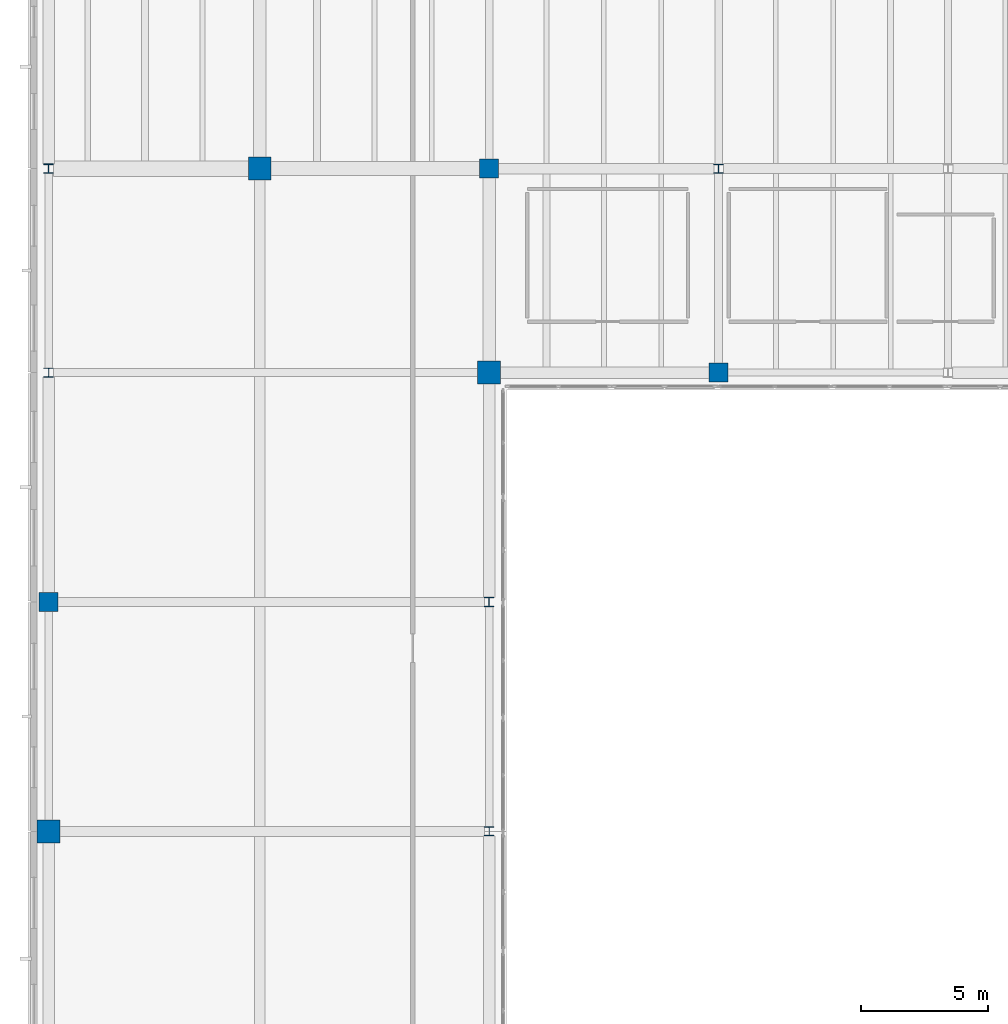
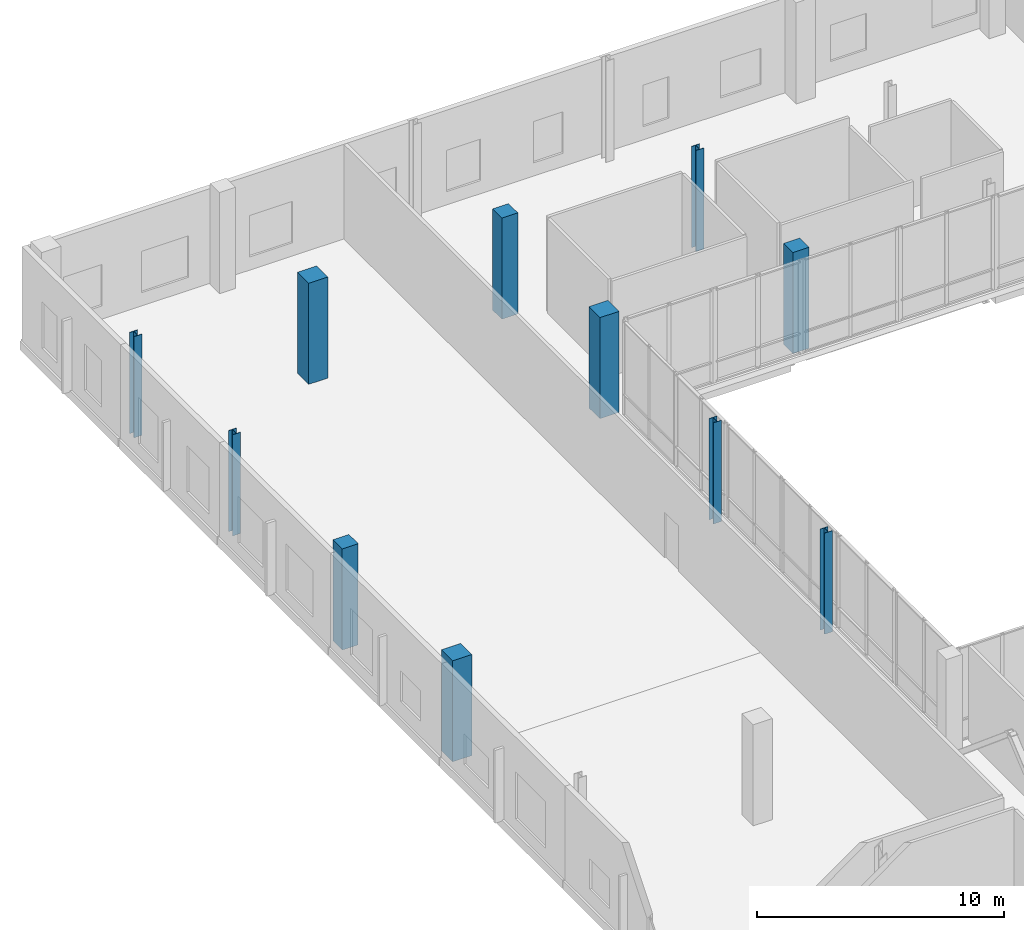
# One storey, part 7 of 81: 11 columns.
"""IFC4 building model written with IfcOpenShell, lengths in metres."""

from ifc_helpers import new_model, si_unit, direction, frame, origin, origin_2d, place, context, subcontext, project, spatial, rectangle, i_section, extrude, material, material_profile, profile_set, type_object, element, save


model = new_model("IFC4")

# Units and contexts
model_context = context("Model", 3, precision=1e-05, world=origin(), true_north=direction((0.0, 1.0)))
body_context = subcontext(model_context, "Body", "Model", "MODEL_VIEW")
ifc_project = project(units=[si_unit("LENGTHUNIT", "METRE"), si_unit("AREAUNIT", "SQUARE_METRE"), si_unit("VOLUMEUNIT", "CUBIC_METRE"), si_unit("PLANEANGLEUNIT", "RADIAN"), si_unit("MASSUNIT", "GRAM", prefix="KILO")], contexts=[model_context])

# Site, building, storey
site_placement = place(None, origin())
site = spatial("IfcSite", under=ifc_project, at=site_placement, CompositionType="ELEMENT")
building_placement = place(site_placement, origin())
building = spatial("IfcBuilding", under=site, at=building_placement, Name="Trimount Lyric Opera House", CompositionType="ELEMENT")
storey_placement = place(building_placement, frame((0.0, 0.0, 5.0)))
storey = spatial("IfcBuildingStorey", under=building, at=storey_placement, Name="L01", CompositionType="ELEMENT", Elevation=5.0)

# Columns
ifc_material_1 = material(Name="Steel ASTM A992 Grade 50", Category="steel")
ifc_material_profile_1 = material_profile(ifc_material_1, i_section(OverallWidth=0.373046875, OverallDepth=0.367919921875, WebThickness=0.014892578125, FlangeThickness=0.02392578125, FilletRadius=0.014892578125, at=origin_2d()), Name="W14X120")
ifc_profile_set_1 = profile_set([ifc_material_profile_1], Name="Steel ASTM A992 Grade 50")
column_type_1 = type_object("IfcColumnType", Name="C-04", PredefinedType="COLUMN", material=ifc_profile_set_1)
for number, where, z_axis, x_axis, name in (
    (1, (0.719970703125, 110.0, 0.0), (0.0, 0.0, 1.0), (1.0, 0.0, 0.0), "L01 column 1/N"),
    (2, (18.0, 93.0, 0.0), (0.0, 0.0, 1.0), (1.0, 0.0, 0.0), "L01 column 3/L"),
):
    element("IfcColumn", number, at=place(storey_placement, frame(where, z_axis=z_axis, x_axis=x_axis)), inside=storey, type_object=column_type_1, Name=name, PredefinedType="COLUMN", context=body_context, shape_type="SweptSolid", body=[
        extrude(i_section(OverallWidth=0.373046875, OverallDepth=0.367919921875, WebThickness=0.014892578125, FlangeThickness=0.02392578125, FilletRadius=0.014892578125, at=origin_2d()), origin(), (0.0, 0.0, 1.0), 5.0),
    ])
ifc_material_2 = material(Name="Steel ASTM A992 Grade 50", Category="steel")
ifc_material_profile_2 = material_profile(ifc_material_2, i_section(OverallWidth=0.367919921875, OverallDepth=0.35595703125, WebThickness=0.01123046875, FlangeThickness=0.01806640625, FilletRadius=0.014892578125, at=origin_2d()), Name="W14X90")
ifc_profile_set_2 = profile_set([ifc_material_profile_2], Name="Steel ASTM A992 Grade 50")
column_type_2 = type_object("IfcColumnType", Name="C-09", PredefinedType="COLUMN", material=ifc_profile_set_2)
for number, where, z_axis, x_axis, name in (
    (3, (0.719970703125, 102.0, 0.0), (0.0, 0.0, 1.0), (1.0, 0.0, 0.0), "L01 column 1/M"),
    (4, (18.0, 84.0, 0.0), (0.0, 0.0, 1.0), (1.0, 0.0, 0.0), "L01 column 3/K"),
    (5, (27.0, 110.0, 0.0), (0.0, 0.0, 1.0), (1.0, 0.0, 0.0), "L01 column 4/N"),
):
    element("IfcColumn", number, at=place(storey_placement, frame(where, z_axis=z_axis, x_axis=x_axis)), inside=storey, type_object=column_type_2, Name=name, PredefinedType="COLUMN", context=body_context, shape_type="SweptSolid", body=[
        extrude(i_section(OverallWidth=0.367919921875, OverallDepth=0.35595703125, WebThickness=0.01123046875, FlangeThickness=0.01806640625, FilletRadius=0.014892578125, at=origin_2d()), origin(), (0.0, 0.0, 1.0), 5.0),
    ])
ifc_material_3 = material(Name="Concrete C50/60", Category="concrete")
ifc_material_profile_3 = material_profile(ifc_material_3, rectangle(XDim=0.89990234375, YDim=0.89990234375, at=origin_2d()), Name="RC900X900")
ifc_profile_set_3 = profile_set([ifc_material_profile_3], Name="Concrete C50/60")
column_type_3 = type_object("IfcColumnType", Name="C-13", PredefinedType="COLUMN", material=ifc_profile_set_3)
for number, where, z_axis, x_axis, name in (
    (6, (0.719970703125, 84.0, 0.0), (0.0, 0.0, 1.0), (1.0, 0.0, 0.0), "L01 column 1/K"),
    (7, (9.0, 110.0, 0.0), (0.0, 0.0, 1.0), (1.0, 0.0, 0.0), "L01 column 2/N"),
    (8, (18.0, 102.0, 0.0), (0.0, 0.0, 1.0), (1.0, 0.0, 0.0), "L01 column 3/M"),
):
    element("IfcColumn", number, at=place(storey_placement, frame(where, z_axis=z_axis, x_axis=x_axis)), inside=storey, type_object=column_type_3, Name=name, PredefinedType="COLUMN", context=body_context, shape_type="SweptSolid", body=[
        extrude(rectangle(XDim=0.89990234375, YDim=0.89990234375, at=origin_2d()), origin(), (0.0, 0.0, 1.0), 5.0),
    ])
ifc_material_4 = material(Name="Concrete C40/50", Category="concrete")
ifc_material_profile_4 = material_profile(ifc_material_4, rectangle(XDim=0.75, YDim=0.75, at=origin_2d()), Name="RC750X750")
ifc_profile_set_4 = profile_set([ifc_material_profile_4], Name="Concrete C40/50")
column_type_4 = type_object("IfcColumnType", Name="C-15", PredefinedType="COLUMN", material=ifc_profile_set_4)
for number, where, z_axis, x_axis, name in (
    (9, (0.719970703125, 93.0, 0.0), (0.0, 0.0, 1.0), (1.0, 0.0, 0.0), "L01 column 1/L"),
    (10, (18.0, 110.0, 0.0), (0.0, 0.0, 1.0), (1.0, 0.0, 0.0), "L01 column 3/N"),
    (11, (27.0, 102.0, 0.0), (0.0, 0.0, 1.0), (1.0, 0.0, 0.0), "L01 column 4/M"),
):
    element("IfcColumn", number, at=place(storey_placement, frame(where, z_axis=z_axis, x_axis=x_axis)), inside=storey, type_object=column_type_4, Name=name, PredefinedType="COLUMN", context=body_context, shape_type="SweptSolid", body=[
        extrude(rectangle(XDim=0.75, YDim=0.75, at=origin_2d()), origin(), (0.0, 0.0, 1.0), 5.0),
    ])

save(model, "model.ifc")
